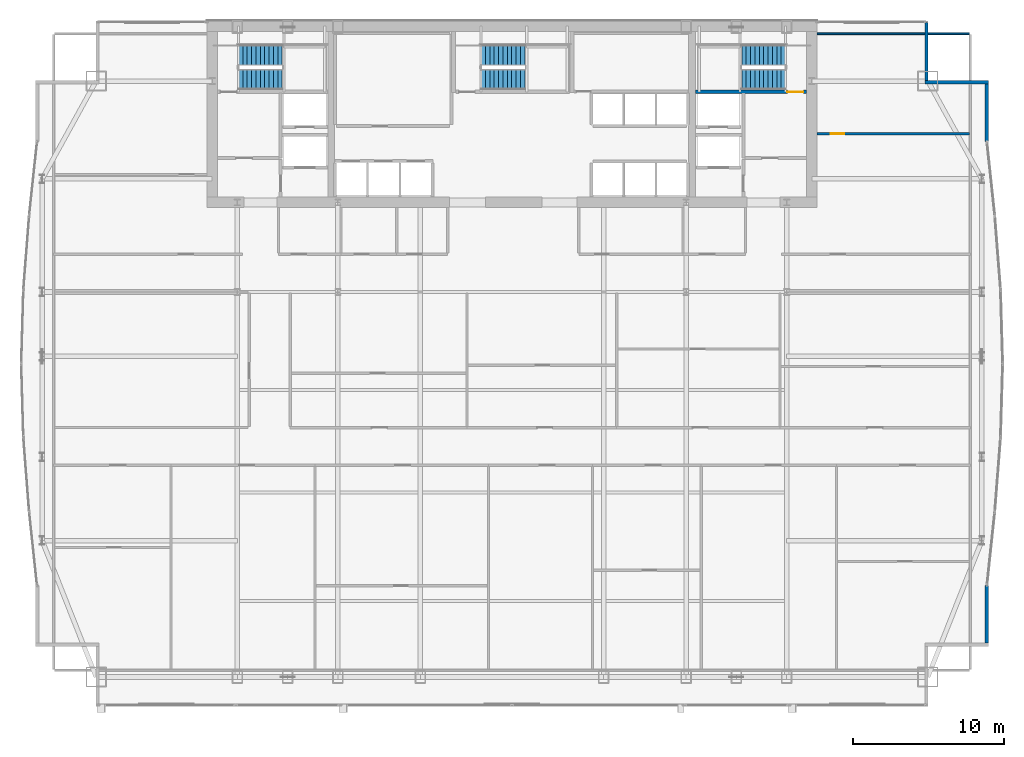
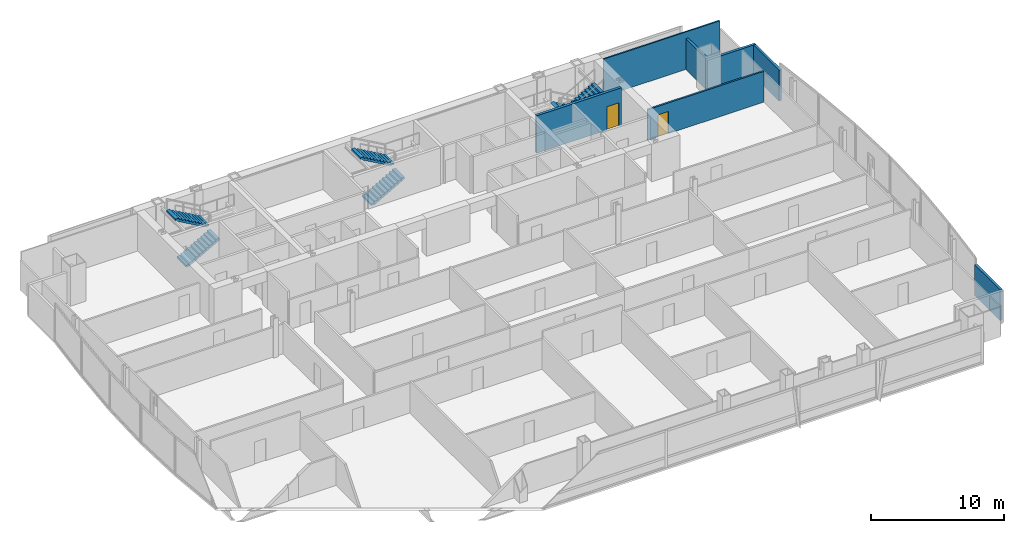
# One storey, part 27 of 29: 7 walls, 6 stair flights, 2 doors, 2 openings, 3 elements without a shape of their own.
"""IFC4 building model written with IfcOpenShell, lengths in metres."""

from ifc_helpers import new_model, si_unit, direction, frame, frame_2d, origin, place, context, subcontext, project, spatial, polyline, rectangle, outline, extrude, material, layer, layer_set, type_object, element, fill, aggregate, save


model = new_model("IFC4")

# Units and contexts
model_context = context("Model", 3, precision=1e-05, world=origin(), true_north=direction((0.0, 1.0)))
body_context = subcontext(model_context, "Body", "Model", "MODEL_VIEW")
ifc_project = project(units=[si_unit("LENGTHUNIT", "METRE"), si_unit("AREAUNIT", "SQUARE_METRE"), si_unit("VOLUMEUNIT", "CUBIC_METRE"), si_unit("PLANEANGLEUNIT", "RADIAN"), si_unit("MASSUNIT", "GRAM", prefix="KILO")], contexts=[model_context])

# Site, building, storey
site_placement = place(None, origin())
site = spatial("IfcSite", under=ifc_project, at=site_placement, CompositionType="ELEMENT")
building_placement = place(site_placement, origin())
building = spatial("IfcBuilding", under=site, at=building_placement, Name="Khoronbel Lancet Exchange", CompositionType="ELEMENT")
storey_placement = place(building_placement, frame((0.0, 0.0, 143.39990234375)))
storey = spatial("IfcBuildingStorey", under=building, at=storey_placement, Name="L35", CompositionType="ELEMENT", Elevation=143.39990234375)

# Walls
ifc_material_1 = material(Name="Precast concrete C40/50", Category="concrete")
ifc_layer_1 = layer(ifc_material_1, 0.25, Name="Precast concrete C40/50")
ifc_layer_set_1 = layer_set([ifc_layer_1], Name="Precast concrete C40/50")
wall_type_1 = type_object("IfcWallType", Name="WL-EXT250", PredefinedType="SOLIDWALL", material=ifc_layer_set_1)
wall_1_placement = place(storey_placement, frame((63.9599609375, 53.6298828125, 0.0), z_axis=(0.0, 0.0, 1.0), x_axis=(0.0, -1.0, 0.0)))
element("IfcWall", 1, at=wall_1_placement, inside=storey, type_object=wall_type_1, Name="Level L35 notched-corner limestone pier 14", PredefinedType="SOLIDWALL", context=body_context, shape_type="SweptSolid", body=[
    extrude(rectangle(XDim=3.909912109375, YDim=0.219970703125, at=frame_2d((1.955078125, 0.0))), origin(), (0.0, 0.0, 1.0), 2.830078125),
])
wall_2_placement = place(storey_placement, frame((63.85009765625, 49.610107421875, 0.0), z_axis=(0.0, 0.0, 1.0), x_axis=(1.0, 0.0, 0.0)))
element("IfcWall", 2, at=wall_2_placement, inside=storey, type_object=wall_type_1, Name="Level L35 notched-corner limestone pier 15", PredefinedType="SOLIDWALL", context=body_context, shape_type="SweptSolid", body=[
    extrude(rectangle(XDim=4.219970703125, YDim=0.219970703125, at=frame_2d((2.10986328125, 0.0))), origin(), (0.0, 0.0, 1.0), 2.830078125),
])
wall_3_placement = place(storey_placement, frame((67.9599609375, 49.5, 0.0), z_axis=(0.0, 0.0, 1.0), x_axis=(0.0, -1.0, 0.0)))
element("IfcWall", 3, at=wall_3_placement, inside=storey, type_object=wall_type_1, Name="Level L35 notched-corner limestone pier 16", PredefinedType="SOLIDWALL", context=body_context, shape_type="SweptSolid", body=[
    extrude(rectangle(XDim=3.82470703125, YDim=0.219970703125, at=frame_2d((1.912353515625, 0.0))), origin(), (0.0, 0.0, 1.0), 2.830078125),
])
wall_4_placement = place(storey_placement, frame((67.9599609375, 16.224853515625, 0.0), z_axis=(0.0, 0.0, 1.0), x_axis=(0.0, -1.0, 0.0)))
element("IfcWall", 4, at=wall_4_placement, inside=storey, type_object=wall_type_1, Name="Level L35 notched-corner limestone pier 23", PredefinedType="SOLIDWALL", context=body_context, shape_type="SweptSolid", body=[
    extrude(rectangle(XDim=3.824951171875, YDim=0.219970703125, at=frame_2d((1.91259765625, 0.0))), origin(), (0.0, 0.0, 1.0), 2.830078125),
])

# Wall, opening, door
ifc_material_2 = material(Name="Acoustic Metal-Stud & Mineral-Wool Gypsum Partition 120 mm", Category="gypsum")
ifc_layer_2 = layer(ifc_material_2, 0.1201171875, Name="Acoustic Metal-Stud & Mineral-Wool Gypsum Partition 120 mm")
ifc_layer_set_2 = layer_set([ifc_layer_2], Name="Acoustic Metal-Stud & Mineral-Wool Gypsum Partition 120 mm")
wall_type_2 = type_object("IfcWallType", Name="WL-PRT120", PredefinedType="PARTITIONING", material=ifc_layer_set_2)
wall_5_placement = place(storey_placement, frame((56.699951171875, 46.199951171875, 0.0), z_axis=(0.0, 0.0, 1.0), x_axis=(1.0, 0.0, 0.0)))
wall_5 = element("IfcWall", 5, at=wall_5_placement, inside=storey, type_object=wall_type_2, Name="Level L35 interior partition PW-NE-H", PredefinedType="PARTITIONING", context=body_context, shape_type="SweptSolid", body=[
    extrude(rectangle(XDim=10.10498046875, YDim=0.14990234375, at=frame_2d((5.052490234375, 0.0))), origin(), (0.0, 0.0, 1.0), 2.830078125),
])
opening_1_placement = place(wall_5_placement, frame((0.89990234375, 0.0, 0.0)))
opening_1 = element("IfcOpeningElement", 6, at=opening_1_placement, cuts=wall_5, Name="Opening D5", PredefinedType="OPENING", context=body_context, shape_type="SweptSolid", body=[
    extrude(rectangle(XDim=0.89990234375, YDim=2.050048828125, at=frame_2d((0.449951171875, 1.02490234375))), frame((0.0, 0.0849609375, 0.0), z_axis=(0.0, -1.0, 0.0), x_axis=(1.0, 0.0, 0.0)), (0.0, 0.0, 1.0), 0.169921875),
])
ifc_material_3 = material(Name="Acoustic Timber Pantry & Support Door", Category="wood")
door_type_1 = type_object("IfcDoorType", Name="DR-D5", OperationType="NOTDEFINED", PredefinedType="DOOR", material=ifc_material_3)
door_1_placement = place(opening_1_placement, origin())
door_1 = element("IfcDoor", 7, at=door_1_placement, inside=storey, type_object=door_type_1, Name="NE north room door L35-1", OperationType="SINGLE_SWING_LEFT", OverallHeight=2.050048828125, OverallWidth=0.89990234375, PredefinedType="DOOR", context=body_context, shape_type="SweptSolid", body=[
    extrude(rectangle(XDim=0.89990234375, YDim=2.050048828125, at=frame_2d((0.449951171875, 1.02490234375))), frame((0.0, 0.02490234375, 0.0), z_axis=(0.0, -1.0, 0.0), x_axis=(1.0, 0.0, 0.0)), (0.0, 0.0, 1.0), 0.050048828125),
])
fill(opening_1, door_1)

# Wall
wall_6_placement = place(storey_placement, frame((56.699951171875, 52.840087890625, 0.0), z_axis=(0.0, 0.0, 1.0), x_axis=(1.0, 0.0, 0.0)))
element("IfcWall", 8, at=wall_6_placement, inside=storey, type_object=wall_type_2, Name="Level L35 interior partition PW-LIN-NE", PredefinedType="PARTITIONING", context=body_context, shape_type="SweptSolid", body=[
    extrude(rectangle(XDim=10.10498046875, YDim=0.1201171875, at=frame_2d((5.052490234375, 0.0))), origin(), (0.0, 0.0, 1.0), 3.440185546875),
])

# Wall, opening, door
ifc_material_4 = material(Name="Concrete C60/75", Category="concrete")
ifc_layer_3 = layer(ifc_material_4, 0.260009765625, Name="Concrete C60/75")
ifc_layer_set_3 = layer_set([ifc_layer_3], Name="Concrete C60/75")
wall_type_3 = type_object("IfcWallType", Name="WL-SW3", PredefinedType="SHEAR", material=ifc_layer_set_3)
wall_7_placement = place(storey_placement, frame((48.6298828125, 48.97998046875, 0.0), z_axis=(0.0, 0.0, 1.0), x_axis=(1.0, 0.0, 0.0)))
wall_7 = element("IfcWall", 9, at=wall_7_placement, inside=storey, type_object=wall_type_3, Name="Level L35 east stairwell structural south wall", PredefinedType="SHEAR", context=body_context, shape_type="SweptSolid", body=[
    extrude(rectangle(XDim=7.3701171875, YDim=0.239990234375, at=frame_2d((3.68505859375, 0.0))), origin(), (0.0, 0.0, 1.0), 3.440185546875),
])
opening_2_placement = place(wall_7_placement, frame((6.10009765625, 0.0, 0.0)))
opening_2 = element("IfcOpeningElement", 10, at=opening_2_placement, cuts=wall_7, Name="Opening SD1", PredefinedType="OPENING", context=body_context, shape_type="SweptSolid", body=[
    extrude(rectangle(XDim=1.050048828125, YDim=2.14990234375, at=frame_2d((0.52490234375, 1.074951171875))), frame((0.0, 0.1298828125, 0.0), z_axis=(0.0, -1.0, 0.0), x_axis=(1.0, 0.0, 0.0)), (0.0, 0.0, 1.0), 0.260009765625),
])
ifc_material_5 = material(Name="Fire-Rated Steel Stairwell Door Assembly", Category="steel")
door_type_2 = type_object("IfcDoorType", Name="DR-SD1", OperationType="NOTDEFINED", PredefinedType="DOOR", material=ifc_material_5)
door_2_placement = place(opening_2_placement, origin())
door_2 = element("IfcDoor", 11, at=door_2_placement, inside=storey, type_object=door_type_2, Name="Protected exit stair ST2 door L35", OperationType="SINGLE_SWING_RIGHT", OverallHeight=2.14990234375, OverallWidth=1.050048828125, PredefinedType="DOOR", context=body_context, shape_type="SweptSolid", body=[
    extrude(rectangle(XDim=1.050048828125, YDim=2.14990234375, at=frame_2d((0.52490234375, 1.074951171875))), frame((0.0, 0.02490234375, 0.0), z_axis=(0.0, -1.0, 0.0), x_axis=(1.0, 0.0, 0.0)), (0.0, 0.0, 1.0), 0.050048828125),
])
fill(opening_2, door_2)

# Stair, stair flights
ifc_material_6 = material(Name="Concrete C40/50", Category="concrete")
stair_type = type_object("IfcStairType", Name="STR-CORE150", PredefinedType="HALF_TURN_STAIR", material=ifc_material_6)
stair_1_placement = place(storey_placement, origin())
stair_1 = element("IfcStair", 12, at=stair_1_placement, inside=storey, type_object=stair_type, Name="L35 Protected Exit Stair ST1", PredefinedType="HALF_TURN_STAIR")
stair_flight_type = type_object("IfcStairFlightType", Name="STF-150", PredefinedType="STRAIGHT", material=ifc_material_6)
stair_flight_1_placement = place(storey_placement, frame((18.300048828125, 49.81005859375, 0.0), z_axis=(0.0, 0.0, 1.0), x_axis=(1.0, 0.0, 0.0)))
stair_flight_1 = element("IfcStairFlight", 13, at=stair_flight_1_placement, type_object=stair_flight_type, Name="ST1 flight 1", NumberOfRisers=11, NumberOfTreads=10, PredefinedType="STRAIGHT", RiserHeight=0.163636364, TreadLength=0.29, context=body_context, shape_type="SweptSolid", body=[
    extrude(outline(polyline([(0.0, 0.0), (0.0, 0.16357421875), (0.2900390625, 0.16357421875), (0.2900390625, 0.327392578125), (0.580078125, 0.327392578125), (0.580078125, 0.490966796875), (0.8701171875, 0.490966796875), (0.8701171875, 0.654541015625), (1.159912109375, 0.654541015625), (1.159912109375, 0.818115234375), (1.449951171875, 0.818115234375), (1.449951171875, 0.98193359375), (1.739990234375, 0.98193359375), (1.739990234375, 1.1455078125), (2.030029296875, 1.1455078125), (2.030029296875, 1.30908203125), (2.320068359375, 1.30908203125), (2.320068359375, 1.47265625), (2.610107421875, 1.47265625), (2.610107421875, 1.636474609375), (2.89990234375, 1.636474609375), (2.89990234375, 1.800048828125), (2.89990234375, 1.46435546875), (0.304931640625, 0.0), (0.0, 0.0)])), frame((0.0, 0.68994140625, 0.0), z_axis=(0.0, -1.0, 0.0), x_axis=(1.0, 0.0, 0.0)), (0.0, 0.0, 1.0), 1.3798828125),
])
stair_flight_2_placement = place(storey_placement, frame((21.199951171875, 51.409912109375, 1.800048828125), z_axis=(0.0, 0.0, 1.0), x_axis=(-1.0, 0.0, 0.0)))
stair_flight_2 = element("IfcStairFlight", 14, at=stair_flight_2_placement, type_object=stair_flight_type, Name="ST1 flight 2", NumberOfRisers=11, NumberOfTreads=10, PredefinedType="STRAIGHT", RiserHeight=0.163636364, TreadLength=0.29, context=body_context, shape_type="SweptSolid", body=[
    extrude(outline(polyline([(0.0, 0.0), (0.0, 0.16357421875), (0.2900390625, 0.16357421875), (0.2900390625, 0.327392578125), (0.580078125, 0.327392578125), (0.580078125, 0.490966796875), (0.8701171875, 0.490966796875), (0.8701171875, 0.654541015625), (1.159912109375, 0.654541015625), (1.159912109375, 0.818115234375), (1.449951171875, 0.818115234375), (1.449951171875, 0.98193359375), (1.739990234375, 0.98193359375), (1.739990234375, 1.1455078125), (2.030029296875, 1.1455078125), (2.030029296875, 1.30908203125), (2.320068359375, 1.30908203125), (2.320068359375, 1.47265625), (2.610107421875, 1.47265625), (2.610107421875, 1.636474609375), (2.89990234375, 1.636474609375), (2.89990234375, 1.800048828125), (2.89990234375, 1.46435546875), (0.304931640625, 0.0), (0.0, 0.0)])), frame((0.0, 0.68994140625, 0.0), z_axis=(0.0, -1.0, 0.0), x_axis=(1.0, 0.0, 0.0)), (0.0, 0.0, 1.0), 1.3798828125),
])
aggregate(stair_1, [stair_flight_1, stair_flight_2])

stair_2_placement = place(storey_placement, origin())
stair_2 = element("IfcStair", 15, at=stair_2_placement, inside=storey, type_object=stair_type, Name="L35 Protected Exit Stair ST2", PredefinedType="HALF_TURN_STAIR")
stair_flight_3_placement = place(storey_placement, frame((54.60009765625, 51.409912109375, 0.0), z_axis=(0.0, 0.0, 1.0), x_axis=(-1.0, 0.0, 0.0)))
stair_flight_3 = element("IfcStairFlight", 16, at=stair_flight_3_placement, type_object=stair_flight_type, Name="ST2 flight 1", NumberOfRisers=11, NumberOfTreads=10, PredefinedType="STRAIGHT", RiserHeight=0.163636364, TreadLength=0.29, context=body_context, shape_type="SweptSolid", body=[
    extrude(outline(polyline([(0.0, 0.0), (0.0, 0.16357421875), (0.2900390625, 0.16357421875), (0.2900390625, 0.327392578125), (0.580078125, 0.327392578125), (0.580078125, 0.490966796875), (0.8701171875, 0.490966796875), (0.8701171875, 0.654541015625), (1.159912109375, 0.654541015625), (1.159912109375, 0.818115234375), (1.449951171875, 0.818115234375), (1.449951171875, 0.98193359375), (1.739990234375, 0.98193359375), (1.739990234375, 1.1455078125), (2.030029296875, 1.1455078125), (2.030029296875, 1.30908203125), (2.320068359375, 1.30908203125), (2.320068359375, 1.47265625), (2.610107421875, 1.47265625), (2.610107421875, 1.636474609375), (2.89990234375, 1.636474609375), (2.89990234375, 1.800048828125), (2.89990234375, 1.46435546875), (0.304931640625, 0.0), (0.0, 0.0)])), frame((0.0, 0.68994140625, 0.0), z_axis=(0.0, -1.0, 0.0), x_axis=(1.0, 0.0, 0.0)), (0.0, 0.0, 1.0), 1.3798828125),
])
stair_flight_4_placement = place(storey_placement, frame((51.699951171875, 49.81005859375, 1.800048828125), z_axis=(0.0, 0.0, 1.0), x_axis=(1.0, 0.0, 0.0)))
stair_flight_4 = element("IfcStairFlight", 17, at=stair_flight_4_placement, type_object=stair_flight_type, Name="ST2 flight 2", NumberOfRisers=11, NumberOfTreads=10, PredefinedType="STRAIGHT", RiserHeight=0.163636364, TreadLength=0.29, context=body_context, shape_type="SweptSolid", body=[
    extrude(outline(polyline([(0.0, 0.0), (0.0, 0.16357421875), (0.2900390625, 0.16357421875), (0.2900390625, 0.327392578125), (0.580078125, 0.327392578125), (0.580078125, 0.490966796875), (0.8701171875, 0.490966796875), (0.8701171875, 0.654541015625), (1.159912109375, 0.654541015625), (1.159912109375, 0.818115234375), (1.449951171875, 0.818115234375), (1.449951171875, 0.98193359375), (1.739990234375, 0.98193359375), (1.739990234375, 1.1455078125), (2.030029296875, 1.1455078125), (2.030029296875, 1.30908203125), (2.320068359375, 1.30908203125), (2.320068359375, 1.47265625), (2.610107421875, 1.47265625), (2.610107421875, 1.636474609375), (2.89990234375, 1.636474609375), (2.89990234375, 1.800048828125), (2.89990234375, 1.46435546875), (0.304931640625, 0.0), (0.0, 0.0)])), frame((0.0, 0.68994140625, 0.0), z_axis=(0.0, -1.0, 0.0), x_axis=(1.0, 0.0, 0.0)), (0.0, 0.0, 1.0), 1.3798828125),
])
aggregate(stair_2, [stair_flight_3, stair_flight_4])

stair_3_placement = place(storey_placement, origin())
stair_3 = element("IfcStair", 18, at=stair_3_placement, inside=storey, type_object=stair_type, Name="L35 Protected Exit Stair ST3", PredefinedType="HALF_TURN_STAIR")
stair_flight_5_placement = place(storey_placement, frame((34.39990234375, 49.81005859375, 0.0), z_axis=(0.0, 0.0, 1.0), x_axis=(1.0, 0.0, 0.0)))
stair_flight_5 = element("IfcStairFlight", 19, at=stair_flight_5_placement, type_object=stair_flight_type, Name="ST3 flight 1", NumberOfRisers=11, NumberOfTreads=10, PredefinedType="STRAIGHT", RiserHeight=0.163636364, TreadLength=0.29, context=body_context, shape_type="SweptSolid", body=[
    extrude(outline(polyline([(0.0, 0.0), (0.0, 0.16357421875), (0.2900390625, 0.16357421875), (0.2900390625, 0.327392578125), (0.580078125, 0.327392578125), (0.580078125, 0.490966796875), (0.8701171875, 0.490966796875), (0.8701171875, 0.654541015625), (1.159912109375, 0.654541015625), (1.159912109375, 0.818115234375), (1.449951171875, 0.818115234375), (1.449951171875, 0.98193359375), (1.739990234375, 0.98193359375), (1.739990234375, 1.1455078125), (2.030029296875, 1.1455078125), (2.030029296875, 1.30908203125), (2.320068359375, 1.30908203125), (2.320068359375, 1.47265625), (2.610107421875, 1.47265625), (2.610107421875, 1.636474609375), (2.89990234375, 1.636474609375), (2.89990234375, 1.800048828125), (2.89990234375, 1.46435546875), (0.304931640625, 0.0), (0.0, 0.0)])), frame((0.0, 0.68994140625, 0.0), z_axis=(0.0, -1.0, 0.0), x_axis=(1.0, 0.0, 0.0)), (0.0, 0.0, 1.0), 1.3798828125),
])
stair_flight_6_placement = place(storey_placement, frame((37.300048828125, 51.409912109375, 1.800048828125), z_axis=(0.0, 0.0, 1.0), x_axis=(-1.0, 0.0, 0.0)))
stair_flight_6 = element("IfcStairFlight", 20, at=stair_flight_6_placement, type_object=stair_flight_type, Name="ST3 flight 2", NumberOfRisers=11, NumberOfTreads=10, PredefinedType="STRAIGHT", RiserHeight=0.163636364, TreadLength=0.29, context=body_context, shape_type="SweptSolid", body=[
    extrude(outline(polyline([(0.0, 0.0), (0.0, 0.16357421875), (0.2900390625, 0.16357421875), (0.2900390625, 0.327392578125), (0.580078125, 0.327392578125), (0.580078125, 0.490966796875), (0.8701171875, 0.490966796875), (0.8701171875, 0.654541015625), (1.159912109375, 0.654541015625), (1.159912109375, 0.818115234375), (1.449951171875, 0.818115234375), (1.449951171875, 0.98193359375), (1.739990234375, 0.98193359375), (1.739990234375, 1.1455078125), (2.030029296875, 1.1455078125), (2.030029296875, 1.30908203125), (2.320068359375, 1.30908203125), (2.320068359375, 1.47265625), (2.610107421875, 1.47265625), (2.610107421875, 1.636474609375), (2.89990234375, 1.636474609375), (2.89990234375, 1.800048828125), (2.89990234375, 1.46435546875), (0.304931640625, 0.0), (0.0, 0.0)])), frame((0.0, 0.68994140625, 0.0), z_axis=(0.0, -1.0, 0.0), x_axis=(1.0, 0.0, 0.0)), (0.0, 0.0, 1.0), 1.3798828125),
])
aggregate(stair_3, [stair_flight_5, stair_flight_6])

save(model, "model.ifc")
